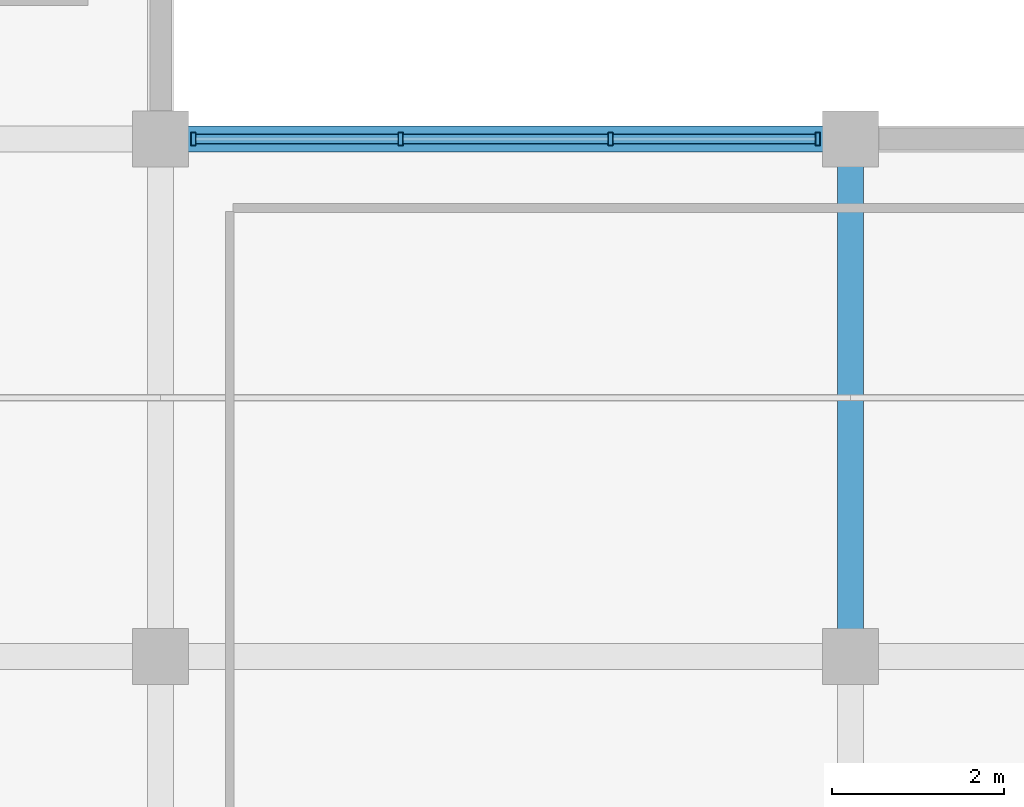
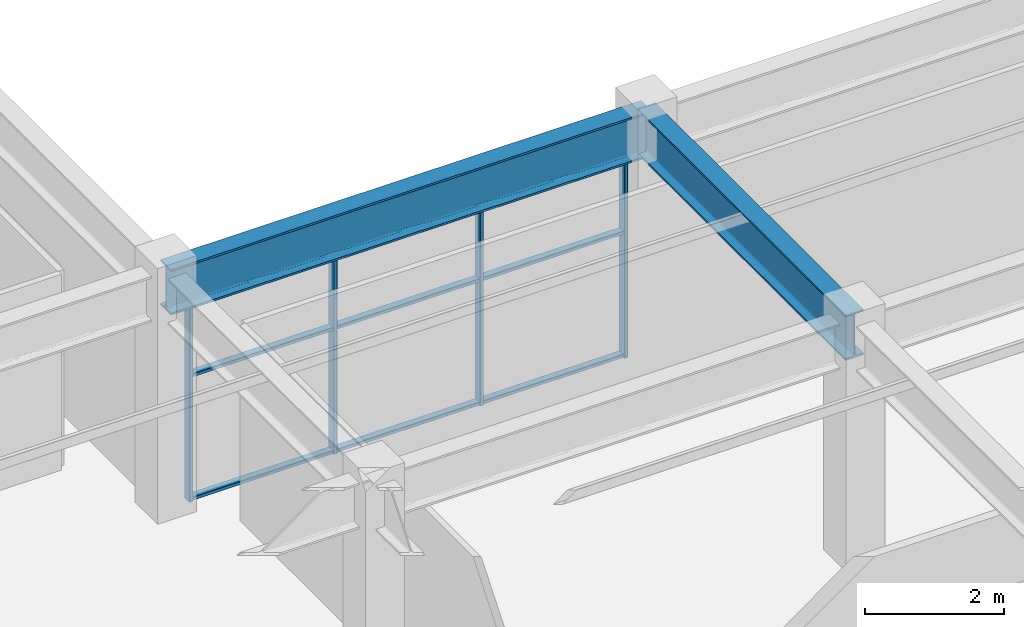
# One storey, part 6 of 46: 13 members, 2 beams, 1 element without a shape of its own.
"""IFC4 building model written with IfcOpenShell, lengths in metres."""

from ifc_helpers import new_model, si_unit, direction, frame, origin, origin_2d, place, context, subcontext, project, spatial, hollow_rectangle, i_section, extrude, material, layer, layer_set, material_profile, profile_set, type_object, element, aggregate, save


model = new_model("IFC4")

# Units and contexts
model_context = context("Model", 3, precision=1e-05, world=origin(), true_north=direction((0.0, 1.0)))
body_context = subcontext(model_context, "Body", "Model", "MODEL_VIEW")
ifc_project = project(units=[si_unit("LENGTHUNIT", "METRE"), si_unit("AREAUNIT", "SQUARE_METRE"), si_unit("VOLUMEUNIT", "CUBIC_METRE"), si_unit("PLANEANGLEUNIT", "RADIAN"), si_unit("MASSUNIT", "GRAM", prefix="KILO")], contexts=[model_context])

# Site, building, storey
site_placement = place(None, origin())
site = spatial("IfcSite", under=ifc_project, at=site_placement, CompositionType="ELEMENT")
building_placement = place(site_placement, origin())
building = spatial("IfcBuilding", under=site, at=building_placement, Name="Kelanora Arch Commons", CompositionType="ELEMENT")
storey_placement = place(building_placement, frame((0.0, 0.0, 18.0)))
storey = spatial("IfcBuildingStorey", under=building, at=storey_placement, Name="L04", CompositionType="ELEMENT", Elevation=18.0)

# Beams
ifc_material_1 = material(Name="Steel S355", Category="steel")
ifc_material_profile_1 = material_profile(ifc_material_1, i_section(OverallWidth=0.300048828125, OverallDepth=0.800048828125, WebThickness=0.017578125, FlangeThickness=0.032958984375, FilletRadius=0.030029296875, at=origin_2d()), Name="HEB800")
ifc_profile_set_1 = profile_set([ifc_material_profile_1], Name="Steel S355")
beam_type = type_object("IfcBeamType", Name="BM-MKT-ROOF", PredefinedType="USERDEFINED", material=ifc_profile_set_1)
beam_1_placement = place(storey_placement, frame((36.0, 26.0, 3.860107421875), z_axis=(1.0, 0.0, 0.0), x_axis=(0.0, 1.0, 0.0)))
element("IfcBeam", 1, at=beam_1_placement, inside=storey, type_object=beam_type, Name="Market/Basement Frame Beam 086 L04", ObjectType="TRANSFER_GIRDER", PredefinedType="USERDEFINED", context=body_context, shape_type="SweptSolid", body=[
    extrude(i_section(OverallWidth=0.300048828125, OverallDepth=0.800048828125, WebThickness=0.017578125, FlangeThickness=0.032958984375, FilletRadius=0.030029296875, at=origin_2d()), origin(), (0.0, 0.0, 1.0), 8.0),
])
beam_2_placement = place(storey_placement, frame((44.0, 20.0, 3.860107421875), z_axis=(0.0, 1.0, 0.0), x_axis=(-1.0, 0.0, 0.0)))
element("IfcBeam", 2, at=beam_2_placement, inside=storey, type_object=beam_type, Name="Market/Basement Frame Beam 099 L04", ObjectType="TRANSFER_GIRDER", PredefinedType="USERDEFINED", context=body_context, shape_type="SweptSolid", body=[
    extrude(i_section(OverallWidth=0.300048828125, OverallDepth=0.800048828125, WebThickness=0.017578125, FlangeThickness=0.032958984375, FilletRadius=0.030029296875, at=origin_2d()), origin(), (0.0, 0.0, 1.0), 6.0),
])

# Curtain wall, members
ifc_material_2 = material(Name="Terracotta ceramic-fritted low-E glass and aluminium", Category="masonry")
ifc_layer = layer(ifc_material_2, 0.16796875)
ifc_layer_set = layer_set([ifc_layer], Name="Terracotta ceramic-fritted low-E glass and aluminium")
curtain_wall_type = type_object("IfcCurtainWallType", Name="CW-SYS-07", PredefinedType="NOTDEFINED", material=ifc_layer_set)
curtain_wall_placement = place(storey_placement, origin())
curtain_wall = element("IfcCurtainWall", 3, at=curtain_wall_placement, inside=storey, type_object=curtain_wall_type, Name="Market Hall Arcade Curtain Wall L04-22", PredefinedType="NOTDEFINED")
ifc_material_3 = material(Name="Powder-coated aluminium terracotta", Category="masonry")
ifc_material_profile_2 = material_profile(ifc_material_3, hollow_rectangle(XDim=0.159912109375, YDim=0.06005859375, WallThickness=0.0048828125, InnerFilletRadius=0.0048828125, OuterFilletRadius=0.010009765625, at=origin_2d()), Name="CWM160x60")
ifc_profile_set_2 = profile_set([ifc_material_profile_2], Name="Powder-coated aluminium terracotta")
member_type_1 = type_object("IfcMemberType", Name="CWM-STD", PredefinedType="MULLION", material=ifc_profile_set_2)
member_1_placement = place(storey_placement, frame((43.6201171875, 26.0, 0.0), z_axis=(0.0, 0.0, 1.0), x_axis=(0.0, -1.0, 0.0)))
member_1 = element("IfcMember", 4, at=member_1_placement, type_object=member_type_1, Name="CW-07 mullion 1", PredefinedType="MULLION", context=body_context, shape_type="SweptSolid", body=[
    extrude(hollow_rectangle(XDim=0.159912109375, YDim=0.06005859375, WallThickness=0.0048828125, InnerFilletRadius=0.0048828125, OuterFilletRadius=0.010009765625, at=origin_2d()), origin(), (0.0, 0.0, 1.0), 3.43994140625),
])
member_2_placement = place(storey_placement, frame((41.216552734375, 26.0, 0.0), z_axis=(0.0, 0.0, 1.0), x_axis=(0.0, -1.0, 0.0)))
member_2 = element("IfcMember", 5, at=member_2_placement, type_object=member_type_1, Name="CW-07 mullion 2", PredefinedType="MULLION", context=body_context, shape_type="SweptSolid", body=[
    extrude(hollow_rectangle(XDim=0.159912109375, YDim=0.06005859375, WallThickness=0.0048828125, InnerFilletRadius=0.0048828125, OuterFilletRadius=0.010009765625, at=origin_2d()), origin(), (0.0, 0.0, 1.0), 3.43994140625),
])
member_3_placement = place(storey_placement, frame((38.783447265625, 26.0, 0.0), z_axis=(0.0, 0.0, 1.0), x_axis=(0.0, -1.0, 0.0)))
member_3 = element("IfcMember", 6, at=member_3_placement, type_object=member_type_1, Name="CW-07 mullion 3", PredefinedType="MULLION", context=body_context, shape_type="SweptSolid", body=[
    extrude(hollow_rectangle(XDim=0.159912109375, YDim=0.06005859375, WallThickness=0.0048828125, InnerFilletRadius=0.0048828125, OuterFilletRadius=0.010009765625, at=origin_2d()), origin(), (0.0, 0.0, 1.0), 3.43994140625),
])
member_4_placement = place(storey_placement, frame((36.3798828125, 26.0, 0.0), z_axis=(0.0, 0.0, 1.0), x_axis=(0.0, -1.0, 0.0)))
member_4 = element("IfcMember", 7, at=member_4_placement, type_object=member_type_1, Name="CW-07 mullion 4", PredefinedType="MULLION", context=body_context, shape_type="SweptSolid", body=[
    extrude(hollow_rectangle(XDim=0.159912109375, YDim=0.06005859375, WallThickness=0.0048828125, InnerFilletRadius=0.0048828125, OuterFilletRadius=0.010009765625, at=origin_2d()), origin(), (0.0, 0.0, 1.0), 3.43994140625),
])
ifc_material_profile_3 = material_profile(ifc_material_3, hollow_rectangle(XDim=0.1201171875, YDim=0.06005859375, WallThickness=0.0048828125, InnerFilletRadius=0.0048828125, OuterFilletRadius=0.010009765625, at=origin_2d()), Name="CWT120x60")
ifc_profile_set_3 = profile_set([ifc_material_profile_3], Name="Powder-coated aluminium terracotta")
member_type_2 = type_object("IfcMemberType", Name="CWT-STD", PredefinedType="USERDEFINED", material=ifc_profile_set_3)
member_5_placement = place(storey_placement, frame((43.590087890625, 26.0, 0.030029296875), z_axis=(-1.0, 0.0, 0.0), x_axis=(0.0, -1.0, 0.0)))
member_5 = element("IfcMember", 8, at=member_5_placement, type_object=member_type_2, Name="CW-07 transom 1.1", ObjectType="TRANSOM", PredefinedType="USERDEFINED", context=body_context, shape_type="SweptSolid", body=[
    extrude(hollow_rectangle(XDim=0.1201171875, YDim=0.06005859375, WallThickness=0.0048828125, InnerFilletRadius=0.0048828125, OuterFilletRadius=0.010009765625, at=origin_2d()), origin(), (0.0, 0.0, 1.0), 2.343505859375),
])
member_6_placement = place(storey_placement, frame((43.590087890625, 26.0, 2.199951171875), z_axis=(-1.0, 0.0, 0.0), x_axis=(0.0, -1.0, 0.0)))
member_6 = element("IfcMember", 9, at=member_6_placement, type_object=member_type_2, Name="CW-07 transom 1.2", ObjectType="TRANSOM", PredefinedType="USERDEFINED", context=body_context, shape_type="SweptSolid", body=[
    extrude(hollow_rectangle(XDim=0.1201171875, YDim=0.06005859375, WallThickness=0.0048828125, InnerFilletRadius=0.0048828125, OuterFilletRadius=0.010009765625, at=origin_2d()), origin(), (0.0, 0.0, 1.0), 2.343505859375),
])
member_7_placement = place(storey_placement, frame((43.590087890625, 26.0, 3.409912109375), z_axis=(-1.0, 0.0, 0.0), x_axis=(0.0, -1.0, 0.0)))
member_7 = element("IfcMember", 10, at=member_7_placement, type_object=member_type_2, Name="CW-07 transom 1.3", ObjectType="TRANSOM", PredefinedType="USERDEFINED", context=body_context, shape_type="SweptSolid", body=[
    extrude(hollow_rectangle(XDim=0.1201171875, YDim=0.06005859375, WallThickness=0.0048828125, InnerFilletRadius=0.0048828125, OuterFilletRadius=0.010009765625, at=origin_2d()), origin(), (0.0, 0.0, 1.0), 2.343505859375),
])
member_8_placement = place(storey_placement, frame((41.186767578125, 26.0, 0.030029296875), z_axis=(-1.0, 0.0, 0.0), x_axis=(0.0, -1.0, 0.0)))
member_8 = element("IfcMember", 11, at=member_8_placement, type_object=member_type_2, Name="CW-07 transom 2.1", ObjectType="TRANSOM", PredefinedType="USERDEFINED", context=body_context, shape_type="SweptSolid", body=[
    extrude(hollow_rectangle(XDim=0.1201171875, YDim=0.06005859375, WallThickness=0.0048828125, InnerFilletRadius=0.0048828125, OuterFilletRadius=0.010009765625, at=origin_2d()), origin(), (0.0, 0.0, 1.0), 2.37353515625),
])
member_9_placement = place(storey_placement, frame((41.186767578125, 26.0, 2.199951171875), z_axis=(-1.0, 0.0, 0.0), x_axis=(0.0, -1.0, 0.0)))
member_9 = element("IfcMember", 12, at=member_9_placement, type_object=member_type_2, Name="CW-07 transom 2.2", ObjectType="TRANSOM", PredefinedType="USERDEFINED", context=body_context, shape_type="SweptSolid", body=[
    extrude(hollow_rectangle(XDim=0.1201171875, YDim=0.06005859375, WallThickness=0.0048828125, InnerFilletRadius=0.0048828125, OuterFilletRadius=0.010009765625, at=origin_2d()), origin(), (0.0, 0.0, 1.0), 2.37353515625),
])
member_10_placement = place(storey_placement, frame((41.186767578125, 26.0, 3.409912109375), z_axis=(-1.0, 0.0, 0.0), x_axis=(0.0, -1.0, 0.0)))
member_10 = element("IfcMember", 13, at=member_10_placement, type_object=member_type_2, Name="CW-07 transom 2.3", ObjectType="TRANSOM", PredefinedType="USERDEFINED", context=body_context, shape_type="SweptSolid", body=[
    extrude(hollow_rectangle(XDim=0.1201171875, YDim=0.06005859375, WallThickness=0.0048828125, InnerFilletRadius=0.0048828125, OuterFilletRadius=0.010009765625, at=origin_2d()), origin(), (0.0, 0.0, 1.0), 2.37353515625),
])
member_11_placement = place(storey_placement, frame((38.75341796875, 26.0, 0.030029296875), z_axis=(-1.0, 0.0, 0.0), x_axis=(0.0, -1.0, 0.0)))
member_11 = element("IfcMember", 14, at=member_11_placement, type_object=member_type_2, Name="CW-07 transom 3.1", ObjectType="TRANSOM", PredefinedType="USERDEFINED", context=body_context, shape_type="SweptSolid", body=[
    extrude(hollow_rectangle(XDim=0.1201171875, YDim=0.06005859375, WallThickness=0.0048828125, InnerFilletRadius=0.0048828125, OuterFilletRadius=0.010009765625, at=origin_2d()), origin(), (0.0, 0.0, 1.0), 2.343505859375),
])
member_12_placement = place(storey_placement, frame((38.75341796875, 26.0, 2.199951171875), z_axis=(-1.0, 0.0, 0.0), x_axis=(0.0, -1.0, 0.0)))
member_12 = element("IfcMember", 15, at=member_12_placement, type_object=member_type_2, Name="CW-07 transom 3.2", ObjectType="TRANSOM", PredefinedType="USERDEFINED", context=body_context, shape_type="SweptSolid", body=[
    extrude(hollow_rectangle(XDim=0.1201171875, YDim=0.06005859375, WallThickness=0.0048828125, InnerFilletRadius=0.0048828125, OuterFilletRadius=0.010009765625, at=origin_2d()), origin(), (0.0, 0.0, 1.0), 2.343505859375),
])
member_13_placement = place(storey_placement, frame((38.75341796875, 26.0, 3.409912109375), z_axis=(-1.0, 0.0, 0.0), x_axis=(0.0, -1.0, 0.0)))
member_13 = element("IfcMember", 16, at=member_13_placement, type_object=member_type_2, Name="CW-07 transom 3.3", ObjectType="TRANSOM", PredefinedType="USERDEFINED", context=body_context, shape_type="SweptSolid", body=[
    extrude(hollow_rectangle(XDim=0.1201171875, YDim=0.06005859375, WallThickness=0.0048828125, InnerFilletRadius=0.0048828125, OuterFilletRadius=0.010009765625, at=origin_2d()), origin(), (0.0, 0.0, 1.0), 2.343505859375),
])
aggregate(curtain_wall, [member_1, member_2, member_3, member_4, member_5, member_6, member_7, member_8, member_9, member_10, member_11, member_12, member_13])

save(model, "model.ifc")
